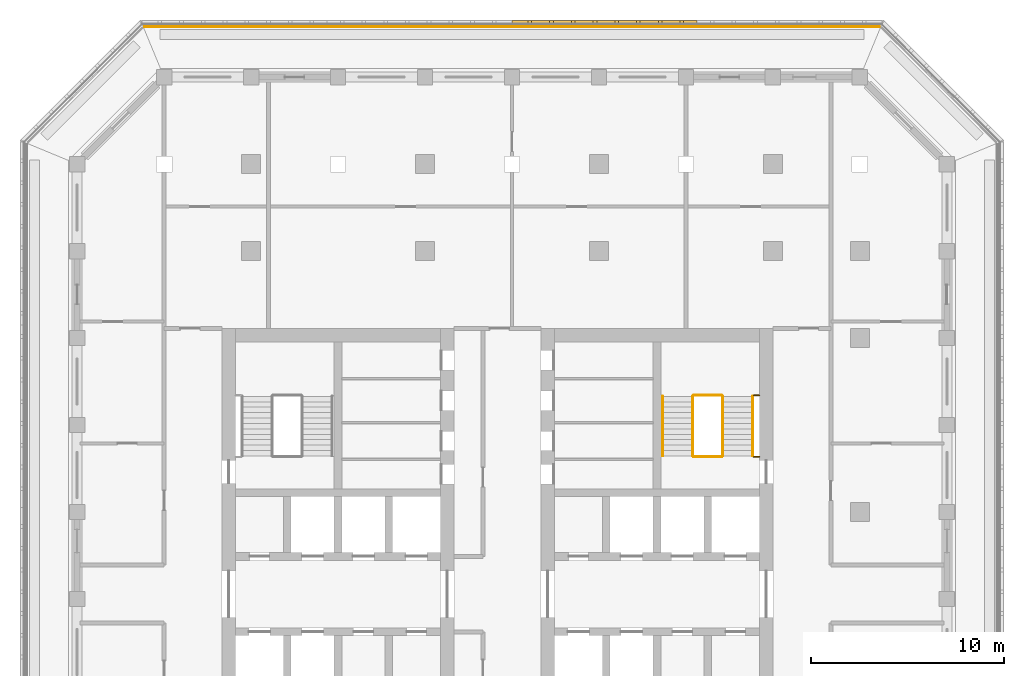
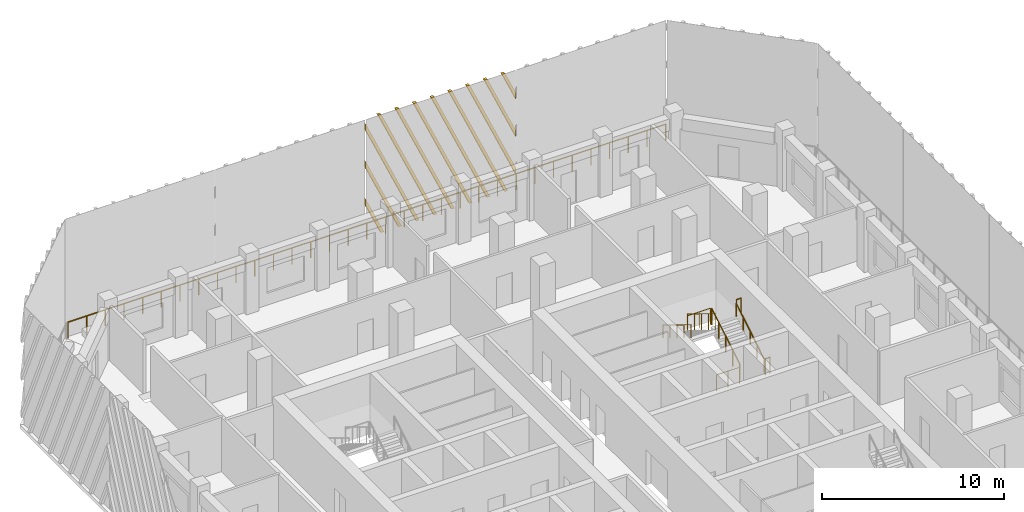
# One storey, part 15 of 17: 9 railings, 1 shading device.
"""IFC4 building model written with IfcOpenShell, lengths in metres."""

import ifcopenshell
import ifcopenshell.guid

model = None  # the IFC model being written
_history = None  # IfcOwnerHistory: only IFC2X3 demands one
_inside = {}  # id of a spatial element -> (the spatial element, [elements in it])
_under = {}  # id of a project, library or spatial element -> (it, [spatial elements below it])
_declared = {}  # id of a project -> (the project, [libraries it declares])
_typed = {}  # id of a type object -> (the type object, [elements of that type])
_made_of = {}  # id of a material, layer set ... -> (it, [elements and type objects made of it])


def new_model(schema):
    """Start an empty IFC model of exactly this schema.

    Asked for "IFC4X3", IfcOpenShell would pick the latest addendum, in which some entities
    have other attributes; the version numbers below select the first issue.
    IFC2X3 requires an IfcOwnerHistory on every rooted entity: one is made here for all.
    """
    global model, _history
    if schema == "IFC4X3":
        model = ifcopenshell.file(schema_version=(4, 3, 0, 0))
    else:
        model = ifcopenshell.file(schema=schema)
    _inside.clear()
    _under.clear()
    _declared.clear()
    _typed.clear()
    _made_of.clear()
    _history = None
    if model.schema == "IFC2X3":
        org = make("IfcOrganization", Name="unknown")
        user = make(
            "IfcPersonAndOrganization",
            ThePerson=make("IfcPerson", FamilyName="unknown"),
            TheOrganization=org,
        )
        app = make(
            "IfcApplication",
            ApplicationDeveloper=org,
            Version="unknown",
            ApplicationFullName="unknown",
            ApplicationIdentifier="unknown",
        )
        _history = make(
            "IfcOwnerHistory",
            OwningUser=user,
            OwningApplication=app,
            ChangeAction="ADDED",
            CreationDate=0,
        )
    return model


def make(cls, **values):
    """One entity of the class cls with the attributes given. An attribute that is None is left unset."""
    return model.create_entity(
        cls, **{name: value for name, value in values.items() if value is not None}
    )


def rooted(cls, **values):
    """An entity with a GlobalId (a new one), such as an element, a storey or a relation."""
    return make(cls, GlobalId=ifcopenshell.guid.new(), OwnerHistory=_history, **values)


def si_unit(unit_type, name, prefix=None):
    """IfcSIUnit, for example si_unit("LENGTHUNIT", "METRE", prefix="MILLI")."""
    return make("IfcSIUnit", UnitType=unit_type, Prefix=prefix, Name=name)


def assignment(units):
    """IfcUnitAssignment: the units of a project."""
    return None if units is None else make("IfcUnitAssignment", Units=units)


def point(xyz):
    """IfcCartesianPoint."""
    return None if xyz is None else make("IfcCartesianPoint", Coordinates=xyz)


def direction(xyz):
    """IfcDirection."""
    return None if xyz is None else make("IfcDirection", DirectionRatios=xyz)


def frame(location, z_axis=None, x_axis=None):
    """IfcAxis2Placement3D, a coordinate frame: its origin and axes. An axis left out is left unset."""
    return make(
        "IfcAxis2Placement3D",
        Location=point(location),
        Axis=direction(z_axis),
        RefDirection=direction(x_axis),
    )


def frame_2d(location, x_axis=None):
    """IfcAxis2Placement2D, a coordinate frame in the plane: its origin and x axis."""
    return make(
        "IfcAxis2Placement2D", Location=point(location), RefDirection=direction(x_axis)
    )


def origin():
    """The frame at (0, 0, 0) with its axes left unset."""
    return frame((0.0, 0.0, 0.0))


def origin_2d():
    """The frame at (0, 0) in the plane with its x axis left unset."""
    return frame_2d((0.0, 0.0))


def place(relative_to, where):
    """IfcLocalPlacement: puts the frame where relative to a parent placement (None: the world)."""
    return make(
        "IfcLocalPlacement", PlacementRelTo=relative_to, RelativePlacement=where
    )


def context(
    kind, dimensions, precision=None, world=None, true_north=None, identifier=None
):
    """IfcGeometricRepresentationContext, for example the 3D "Model" context."""
    return make(
        "IfcGeometricRepresentationContext",
        ContextIdentifier=identifier,
        ContextType=kind,
        CoordinateSpaceDimension=dimensions,
        Precision=precision,
        WorldCoordinateSystem=world,
        TrueNorth=true_north,
    )


def subcontext(parent, identifier, kind, view, scale=None):
    """IfcGeometricRepresentationSubContext, for example "Body" below "Model"."""
    return make(
        "IfcGeometricRepresentationSubContext",
        ContextIdentifier=identifier,
        ContextType=kind,
        ParentContext=parent,
        TargetScale=scale,
        TargetView=view,
    )


def project(units=None, contexts=None):
    """IfcProject with its units and contexts."""
    return rooted(
        "IfcProject",
        Name="project",
        RepresentationContexts=contexts,
        UnitsInContext=assignment(units),
    )


def spatial(cls, under=None, at=None, **own):
    """A site, building, storey or space (cls), placed at a placement, below another one or the project."""
    s = rooted(cls, ObjectPlacement=at, **own)
    if under is not None:
        _under.setdefault(under.id(), (under, []))[1].append(s)
    return s


def polyline(points):
    """IfcPolyline through the points."""
    return make("IfcPolyline", Points=[point(p) for p in points])


def profile(cls, at=None, kind="AREA", **sizes):
    """A parametric profile (cls). Its sizes go by their IFC names, for example OverallWidth=200.0."""
    return make(cls, ProfileType=kind, Position=at, **sizes)


def circle(**sizes):
    """IfcCircleProfileDef."""
    return profile("IfcCircleProfileDef", **sizes)


def outline(outer, holes=None, kind="AREA"):
    """IfcArbitraryClosedProfileDef: a profile drawn as a closed curve; with holes, ...WithVoids."""
    if holes is None:
        return make("IfcArbitraryClosedProfileDef", ProfileType=kind, OuterCurve=outer)
    return make(
        "IfcArbitraryProfileDefWithVoids",
        ProfileType=kind,
        OuterCurve=outer,
        InnerCurves=holes,
    )


def extrude(swept, where, along, depth):
    """IfcExtrudedAreaSolid: the profile swept, set in the frame where, extruded along a direction by depth."""
    return make(
        "IfcExtrudedAreaSolid",
        SweptArea=swept,
        Position=where,
        ExtrudedDirection=direction(along),
        Depth=depth,
    )


def shape(context_of_items, identifier, shape_type, items):
    """IfcShapeRepresentation: the items that make up one representation, for example the "Body"."""
    return make(
        "IfcShapeRepresentation",
        ContextOfItems=context_of_items,
        RepresentationIdentifier=identifier,
        RepresentationType=shape_type,
        Items=items,
    )


def source(mapping_origin, context_of_items, identifier, shape_type, items):
    """IfcRepresentationMap: a shape defined once, which mapped items show again and again."""
    return make(
        "IfcRepresentationMap",
        MappingOrigin=mapping_origin,
        MappedRepresentation=shape(context_of_items, identifier, shape_type, items),
    )


def transform(
    local_origin,
    x_axis=None,
    y_axis=None,
    z_axis=None,
    scale=None,
    scale2=None,
    scale3=None,
    uniform=True,
):
    """IfcCartesianTransformationOperator3D, or its non-uniform kind. x_axis, y_axis, z_axis: its Axis1, 2, 3."""
    if uniform:
        return make(
            "IfcCartesianTransformationOperator3D",
            Axis1=direction(x_axis),
            Axis2=direction(y_axis),
            LocalOrigin=point(local_origin),
            Scale=scale,
            Axis3=direction(z_axis),
        )
    return make(
        "IfcCartesianTransformationOperator3DnonUniform",
        Axis1=direction(x_axis),
        Axis2=direction(y_axis),
        LocalOrigin=point(local_origin),
        Scale=scale,
        Axis3=direction(z_axis),
        Scale2=scale2,
        Scale3=scale3,
    )


def mapped(mapping_source, mapping_target):
    """IfcMappedItem: shows the shape of a source again, moved by a transform."""
    return make(
        "IfcMappedItem", MappingSource=mapping_source, MappingTarget=mapping_target
    )


def material(Name=None, Category=None):
    """IfcMaterial."""
    return make("IfcMaterial", Name=Name, Category=Category)


def made_of(thing, what):
    """Note that an element or type object is made of a material, layer set ...; save() writes the relation."""
    if what is not None:
        _made_of.setdefault(what.id(), (what, []))[1].append(thing)
    return thing


def type_object(cls, material=None, **own):
    """A type object (cls), such as IfcWallType, which elements share."""
    return made_of(rooted(cls, **own), material)


def element(
    cls,
    number,
    at=None,
    inside=None,
    cuts=None,
    type_object=None,
    material=None,
    context=None,
    identifier="Body",
    shape_type=None,
    held_by="IfcProductDefinitionShape",
    body=None,
    shapes=None,
    **own,
):
    """One element of the class cls, such as IfcWall. Its Tag is "e" and its number.

    at: its placement. inside: the storey or other place that contains it. cuts: it is an
    opening in that element (IfcRelVoidsElement). A single representation is given by context,
    identifier, shape_type and body (its items); several are given by shapes. held_by: the class
    of the entity that holds the representations. save() writes the other relations.
    """
    e = rooted(cls, Tag="e%d" % number, ObjectPlacement=at, **own)
    if body is not None:
        shapes = [shape(context, identifier, shape_type, body)]
    if shapes is not None:
        e.Representation = make(held_by, Representations=shapes)
    if inside is not None:
        _inside.setdefault(inside.id(), (inside, []))[1].append(e)
    if cuts is not None:
        rooted(
            "IfcRelVoidsElement", RelatingBuildingElement=cuts, RelatedOpeningElement=e
        )
    if type_object is not None:
        _typed.setdefault(type_object.id(), (type_object, []))[1].append(e)
    return made_of(e, material)


def aggregate(whole, parts):
    """IfcRelAggregates: a whole, such as a stair, and the parts it consists of."""
    return rooted("IfcRelAggregates", RelatingObject=whole, RelatedObjects=parts)


def save(model, path):
    """Write the relations noted so far, then the file.

    IfcRelAggregates (storeys below a building ...), IfcRelContainedInSpatialStructure (elements
    in a storey), IfcRelDefinesByType, IfcRelAssociatesMaterial and IfcRelDeclares: one each for
    every whole, place, type object, material and project.
    """
    for whole, parts in _under.values():
        aggregate(whole, parts)
    for where, things in _inside.values():
        rooted(
            "IfcRelContainedInSpatialStructure",
            RelatedElements=things,
            RelatingStructure=where,
        )
    for kind, things in _typed.values():
        rooted("IfcRelDefinesByType", RelatedObjects=things, RelatingType=kind)
    for what, things in _made_of.values():
        rooted("IfcRelAssociatesMaterial", RelatedObjects=things, RelatingMaterial=what)
    for by, libraries in _declared.values():
        rooted("IfcRelDeclares", RelatingContext=by, RelatedDefinitions=libraries)
    model.write(path)


model = new_model("IFC4")

# Units and contexts
model_context = context("Model", 3, precision=1e-05, world=origin(), true_north=direction((0.0, 1.0)))
body_context = subcontext(model_context, "Body", "Model", "MODEL_VIEW")
ifc_project = project(units=[si_unit("LENGTHUNIT", "METRE"), si_unit("AREAUNIT", "SQUARE_METRE"), si_unit("VOLUMEUNIT", "CUBIC_METRE"), si_unit("PLANEANGLEUNIT", "RADIAN"), si_unit("MASSUNIT", "GRAM", prefix="KILO")], contexts=[model_context])

# Site, building, storey
site_placement = place(None, origin())
site = spatial("IfcSite", under=ifc_project, at=site_placement, CompositionType="ELEMENT")
building_placement = place(site_placement, origin())
building = spatial("IfcBuilding", under=site, at=building_placement, Name="Corbel Stack Research Tower", CompositionType="ELEMENT")
storey_placement = place(building_placement, frame((0.0, 0.0, 231.60009765625)))
storey = spatial("IfcBuildingStorey", under=building, at=storey_placement, Name="L52", CompositionType="ELEMENT", Elevation=231.60009765625)

# Railings
ifc_material_1 = material(Name="Steel S355", Category="steel")
railing_type_1 = type_object("IfcRailingType", Name="Stair guard 1100", PredefinedType="GUARDRAIL", material=ifc_material_1)
railing_1_placement = place(storey_placement, frame((15.39990234375, 11.89990234375, 0.170654296875)))
element("IfcRailing", 1, at=railing_1_placement, inside=storey, type_object=railing_type_1, Name="L52 ST-E2 stair guard 1", PredefinedType="GUARDRAIL", context=body_context, shape_type="SweptSolid", body=[
    extrude(circle(Radius=0.02392578125, at=origin_2d()), frame((0.0, 0.0, 1.076171875), z_axis=(0.0, 0.853666305674, 0.52082035152), x_axis=(-1.0, 0.0, 0.0)), (0.0, 0.0, 1.0), 3.608154296875),
    extrude(circle(Radius=0.02099609375, at=origin_2d()), origin(), (0.0, 0.0, 1.0), 1.052001953125),
    extrude(circle(Radius=0.02099609375, at=origin_2d()), frame((0.0, 0.77001953125, 0.4697265625)), (0.0, 0.0, 1.0), 1.052001953125),
    extrude(circle(Radius=0.02099609375, at=origin_2d()), frame((0.0, 1.5400390625, 0.939453125)), (0.0, 0.0, 1.0), 1.052001953125),
    extrude(circle(Radius=0.02099609375, at=origin_2d()), frame((0.0, 2.31005859375, 1.409423828125)), (0.0, 0.0, 1.0), 1.052001953125),
    extrude(circle(Radius=0.02099609375, at=origin_2d()), frame((0.0, 3.080078125, 1.879150390625)), (0.0, 0.0, 1.0), 1.052001953125),
])
railing_2_placement = place(storey_placement, frame((15.35009765625, 15.030029296875, 2.0498046875)))
element("IfcRailing", 2, at=railing_2_placement, inside=storey, type_object=railing_type_1, Name="L52 ST-E2 stair guard 2", PredefinedType="GUARDRAIL", context=body_context, shape_type="SweptSolid", body=[
    extrude(circle(Radius=0.02392578125, at=origin_2d()), frame((0.0, 0.0, 1.076171875), z_axis=(-1.0, 0.0, 0.0), x_axis=(0.0, -1.0, 0.0)), (0.0, 0.0, 1.0), 1.4501953125),
    extrude(circle(Radius=0.02099609375, at=origin_2d()), origin(), (0.0, 0.0, 1.0), 1.052001953125),
    extrude(circle(Radius=0.02099609375, at=origin_2d()), frame((-0.72509765625, 0.0, 0.0)), (0.0, 0.0, 1.0), 1.052001953125),
    extrude(circle(Radius=0.02099609375, at=origin_2d()), frame((-1.4501953125, 0.0, 0.0)), (0.0, 0.0, 1.0), 1.052001953125),
])
railing_3_placement = place(storey_placement, frame((17.300048828125, 15.030029296875, 2.0498046875)))
element("IfcRailing", 3, at=railing_3_placement, inside=storey, type_object=railing_type_1, Name="L52 ST-E2 stair guard 3", PredefinedType="GUARDRAIL", context=body_context, shape_type="SweptSolid", body=[
    extrude(circle(Radius=0.02392578125, at=origin_2d()), frame((0.0, 0.0, 1.076171875), z_axis=(-1.0, 0.0, 0.0), x_axis=(0.0, -1.0, 0.0)), (0.0, 0.0, 1.0), 0.300048828125),
    extrude(circle(Radius=0.02099609375, at=origin_2d()), origin(), (0.0, 0.0, 1.0), 1.052001953125),
    extrude(circle(Radius=0.02099609375, at=origin_2d()), frame((-0.300048828125, 0.0, 0.0)), (0.0, 0.0, 1.0), 1.052001953125),
])
railing_4_placement = place(storey_placement, frame((13.85009765625, 14.97998046875, 2.220703125)))
element("IfcRailing", 4, at=railing_4_placement, inside=storey, type_object=railing_type_1, Name="L52 ST-E2 stair guard 4", PredefinedType="GUARDRAIL", context=body_context, shape_type="SweptSolid", body=[
    extrude(circle(Radius=0.02392578125, at=origin_2d()), frame((0.0, 0.0, 1.076171875), z_axis=(0.0, -0.853666305674, 0.52082035152), x_axis=(1.0, 0.0, 0.0)), (0.0, 0.0, 1.0), 3.608154296875),
    extrude(circle(Radius=0.02099609375, at=origin_2d()), origin(), (0.0, 0.0, 1.0), 1.052001953125),
    extrude(circle(Radius=0.02099609375, at=origin_2d()), frame((0.0, -0.77001953125, 0.4697265625)), (0.0, 0.0, 1.0), 1.052001953125),
    extrude(circle(Radius=0.02099609375, at=origin_2d()), frame((0.0, -1.5400390625, 0.939453125)), (0.0, 0.0, 1.0), 1.052001953125),
    extrude(circle(Radius=0.02099609375, at=origin_2d()), frame((0.0, -2.31005859375, 1.409423828125)), (0.0, 0.0, 1.0), 1.052001953125),
    extrude(circle(Radius=0.02099609375, at=origin_2d()), frame((0.0, -3.080078125, 1.879150390625)), (0.0, 0.0, 1.0), 1.052001953125),
])
railing_5_placement = place(storey_placement, frame((15.35009765625, 11.85009765625, 0.0)))
element("IfcRailing", 5, at=railing_5_placement, inside=storey, type_object=railing_type_1, Name="L52 ST-E2 stair guard 5", PredefinedType="GUARDRAIL", context=body_context, shape_type="SweptSolid", body=[
    extrude(circle(Radius=0.02392578125, at=origin_2d()), frame((0.0, 0.0, 1.076171875), z_axis=(-1.0, 0.0, 0.0), x_axis=(0.0, -1.0, 0.0)), (0.0, 0.0, 1.0), 1.4501953125),
    extrude(circle(Radius=0.02099609375, at=origin_2d()), origin(), (0.0, 0.0, 1.0), 1.052001953125),
    extrude(circle(Radius=0.02099609375, at=origin_2d()), frame((-0.72509765625, 0.0, 0.0)), (0.0, 0.0, 1.0), 1.052001953125),
    extrude(circle(Radius=0.02099609375, at=origin_2d()), frame((-1.4501953125, 0.0, 0.0)), (0.0, 0.0, 1.0), 1.052001953125),
])
railing_6_placement = place(storey_placement, frame((17.300048828125, 11.85009765625, 0.0)))
element("IfcRailing", 6, at=railing_6_placement, inside=storey, type_object=railing_type_1, Name="L52 ST-E2 stair guard 6", PredefinedType="GUARDRAIL", context=body_context, shape_type="SweptSolid", body=[
    extrude(circle(Radius=0.02392578125, at=origin_2d()), frame((0.0, 0.0, 1.076171875), z_axis=(-1.0, 0.0, 0.0), x_axis=(0.0, -1.0, 0.0)), (0.0, 0.0, 1.0), 0.300048828125),
    extrude(circle(Radius=0.02099609375, at=origin_2d()), origin(), (0.0, 0.0, 1.0), 1.052001953125),
    extrude(circle(Radius=0.02099609375, at=origin_2d()), frame((-0.300048828125, 0.0, 0.0)), (0.0, 0.0, 1.0), 1.052001953125),
])
ifc_material_2 = material(Name="Steel S355", Category="steel")
railing_type_2 = type_object("IfcRailingType", Name="Stair handrail 900", PredefinedType="HANDRAIL", material=ifc_material_2)
railing_7_placement = place(storey_placement, frame((16.949951171875, 11.89990234375, 0.170654296875)))
element("IfcRailing", 7, at=railing_7_placement, inside=storey, type_object=railing_type_2, Name="L52 ST-E2 stair handrail 1", PredefinedType="HANDRAIL", context=body_context, shape_type="SweptSolid", body=[
    extrude(circle(Radius=0.02392578125, at=origin_2d()), frame((0.0, 0.0, 0.8759765625), z_axis=(0.0, 0.853666305674, 0.52082035152), x_axis=(-1.0, 0.0, 0.0)), (0.0, 0.0, 1.0), 3.608154296875),
    extrude(circle(Radius=0.02099609375, at=origin_2d()), origin(), (0.0, 0.0, 1.0), 0.851806640625),
    extrude(circle(Radius=0.02099609375, at=origin_2d()), frame((0.0, 0.77001953125, 0.4697265625)), (0.0, 0.0, 1.0), 0.851806640625),
    extrude(circle(Radius=0.02099609375, at=origin_2d()), frame((0.0, 1.5400390625, 0.939453125)), (0.0, 0.0, 1.0), 0.851806640625),
    extrude(circle(Radius=0.02099609375, at=origin_2d()), frame((0.0, 2.31005859375, 1.409423828125)), (0.0, 0.0, 1.0), 0.851806640625),
    extrude(circle(Radius=0.02099609375, at=origin_2d()), frame((0.0, 3.080078125, 1.879150390625)), (0.0, 0.0, 1.0), 0.851806640625),
])
railing_8_placement = place(storey_placement, frame((12.300048828125, 14.97998046875, 2.220703125)))
element("IfcRailing", 8, at=railing_8_placement, inside=storey, type_object=railing_type_2, Name="L52 ST-E2 stair handrail 2", PredefinedType="HANDRAIL", context=body_context, shape_type="SweptSolid", body=[
    extrude(circle(Radius=0.02392578125, at=origin_2d()), frame((0.0, 0.0, 0.8759765625), z_axis=(0.0, -0.853666305674, 0.52082035152), x_axis=(1.0, 0.0, 0.0)), (0.0, 0.0, 1.0), 3.608154296875),
    extrude(circle(Radius=0.02099609375, at=origin_2d()), origin(), (0.0, 0.0, 1.0), 0.851806640625),
    extrude(circle(Radius=0.02099609375, at=origin_2d()), frame((0.0, -0.77001953125, 0.4697265625)), (0.0, 0.0, 1.0), 0.851806640625),
    extrude(circle(Radius=0.02099609375, at=origin_2d()), frame((0.0, -1.5400390625, 0.939453125)), (0.0, 0.0, 1.0), 0.851806640625),
    extrude(circle(Radius=0.02099609375, at=origin_2d()), frame((0.0, -2.31005859375, 1.409423828125)), (0.0, 0.0, 1.0), 0.851806640625),
    extrude(circle(Radius=0.02099609375, at=origin_2d()), frame((0.0, -3.080078125, 1.879150390625)), (0.0, 0.0, 1.0), 0.851806640625),
])
ifc_material_3 = material(Name="Powder-coated steel guard", Category="steel")
railing_type_3 = type_object("IfcRailingType", Name="Steel and glass guard 1100", PredefinedType="GUARDRAIL", material=ifc_material_3)
railing_9_placement = place(storey_placement, frame((23.50537109375, 34.10009765625, 0.0)))
element("IfcRailing", 9, at=railing_9_placement, inside=storey, type_object=railing_type_3, Name="Loggia guard L52 N", PredefinedType="GUARDRAIL", context=body_context, shape_type="SweptSolid", body=[
    extrude(circle(Radius=0.02392578125, at=origin_2d()), frame((0.0, 0.0, 1.076171875), z_axis=(-1.0, 0.0, 0.0), x_axis=(0.0, -1.0, 0.0)), (0.0, 0.0, 1.0), 38.0107421875),
    extrude(circle(Radius=0.02099609375, at=origin_2d()), origin(), (0.0, 0.0, 1.0), 1.052001953125),
    extrude(circle(Radius=0.02099609375, at=origin_2d()), frame((-1.187744140625, 0.0, 0.0)), (0.0, 0.0, 1.0), 1.052001953125),
    extrude(circle(Radius=0.02099609375, at=origin_2d()), frame((-2.375732421875, 0.0, 0.0)), (0.0, 0.0, 1.0), 1.052001953125),
    extrude(circle(Radius=0.02099609375, at=origin_2d()), frame((-3.5634765625, 0.0, 0.0)), (0.0, 0.0, 1.0), 1.052001953125),
    extrude(circle(Radius=0.02099609375, at=origin_2d()), frame((-4.75146484375, 0.0, 0.0)), (0.0, 0.0, 1.0), 1.052001953125),
    extrude(circle(Radius=0.02099609375, at=origin_2d()), frame((-5.939208984375, 0.0, 0.0)), (0.0, 0.0, 1.0), 1.052001953125),
    extrude(circle(Radius=0.02099609375, at=origin_2d()), frame((-7.126953125, 0.0, 0.0)), (0.0, 0.0, 1.0), 1.052001953125),
    extrude(circle(Radius=0.02099609375, at=origin_2d()), frame((-8.31494140625, 0.0, 0.0)), (0.0, 0.0, 1.0), 1.052001953125),
    extrude(circle(Radius=0.02099609375, at=origin_2d()), frame((-9.502685546875, 0.0, 0.0)), (0.0, 0.0, 1.0), 1.052001953125),
    extrude(circle(Radius=0.02099609375, at=origin_2d()), frame((-10.6904296875, 0.0, 0.0)), (0.0, 0.0, 1.0), 1.052001953125),
    extrude(circle(Radius=0.02099609375, at=origin_2d()), frame((-11.87841796875, 0.0, 0.0)), (0.0, 0.0, 1.0), 1.052001953125),
    extrude(circle(Radius=0.02099609375, at=origin_2d()), frame((-13.066162109375, 0.0, 0.0)), (0.0, 0.0, 1.0), 1.052001953125),
    extrude(circle(Radius=0.02099609375, at=origin_2d()), frame((-14.25390625, 0.0, 0.0)), (0.0, 0.0, 1.0), 1.052001953125),
    extrude(circle(Radius=0.02099609375, at=origin_2d()), frame((-15.44189453125, 0.0, 0.0)), (0.0, 0.0, 1.0), 1.052001953125),
    extrude(circle(Radius=0.02099609375, at=origin_2d()), frame((-16.629638671875, 0.0, 0.0)), (0.0, 0.0, 1.0), 1.052001953125),
    extrude(circle(Radius=0.02099609375, at=origin_2d()), frame((-17.817626953125, 0.0, 0.0)), (0.0, 0.0, 1.0), 1.052001953125),
    extrude(circle(Radius=0.02099609375, at=origin_2d()), frame((-19.00537109375, 0.0, 0.0)), (0.0, 0.0, 1.0), 1.052001953125),
    extrude(circle(Radius=0.02099609375, at=origin_2d()), frame((-20.193115234375, 0.0, 0.0)), (0.0, 0.0, 1.0), 1.052001953125),
    extrude(circle(Radius=0.02099609375, at=origin_2d()), frame((-21.381103515625, 0.0, 0.0)), (0.0, 0.0, 1.0), 1.052001953125),
    extrude(circle(Radius=0.02099609375, at=origin_2d()), frame((-22.56884765625, 0.0, 0.0)), (0.0, 0.0, 1.0), 1.052001953125),
    extrude(circle(Radius=0.02099609375, at=origin_2d()), frame((-23.7568359375, 0.0, 0.0)), (0.0, 0.0, 1.0), 1.052001953125),
    extrude(circle(Radius=0.02099609375, at=origin_2d()), frame((-24.944580078125, 0.0, 0.0)), (0.0, 0.0, 1.0), 1.052001953125),
    extrude(circle(Radius=0.02099609375, at=origin_2d()), frame((-26.13232421875, 0.0, 0.0)), (0.0, 0.0, 1.0), 1.052001953125),
    extrude(circle(Radius=0.02099609375, at=origin_2d()), frame((-27.3203125, 0.0, 0.0)), (0.0, 0.0, 1.0), 1.052001953125),
    extrude(circle(Radius=0.02099609375, at=origin_2d()), frame((-28.508056640625, 0.0, 0.0)), (0.0, 0.0, 1.0), 1.052001953125),
    extrude(circle(Radius=0.02099609375, at=origin_2d()), frame((-29.69580078125, 0.0, 0.0)), (0.0, 0.0, 1.0), 1.052001953125),
    extrude(circle(Radius=0.02099609375, at=origin_2d()), frame((-30.8837890625, 0.0, 0.0)), (0.0, 0.0, 1.0), 1.052001953125),
    extrude(circle(Radius=0.02099609375, at=origin_2d()), frame((-32.071533203125, 0.0, 0.0)), (0.0, 0.0, 1.0), 1.052001953125),
    extrude(circle(Radius=0.02099609375, at=origin_2d()), frame((-33.25927734375, 0.0, 0.0)), (0.0, 0.0, 1.0), 1.052001953125),
    extrude(circle(Radius=0.02099609375, at=origin_2d()), frame((-34.447265625, 0.0, 0.0)), (0.0, 0.0, 1.0), 1.052001953125),
    extrude(circle(Radius=0.02099609375, at=origin_2d()), frame((-35.635009765625, 0.0, 0.0)), (0.0, 0.0, 1.0), 1.052001953125),
    extrude(circle(Radius=0.02099609375, at=origin_2d()), frame((-36.822998046875, 0.0, 0.0)), (0.0, 0.0, 1.0), 1.052001953125),
    extrude(circle(Radius=0.02099609375, at=origin_2d()), frame((-38.0107421875, 0.0, 0.0)), (0.0, 0.0, 1.0), 1.052001953125),
])

# Shading device
ifc_material_4 = material(Name="Precast terracotta", Category="masonry")
shading_device_type = type_object("IfcShadingDeviceType", Name="Terracotta screen panel", PredefinedType="USERDEFINED", material=ifc_material_4)
shared_shape = source(origin(), body_context, "Body", "SweptSolid", [
    extrude(outline(polyline([(0.87548828125, 7.949951171875), (0.685546875, 7.949951171875), (0.0, 6.410400390625), (0.0, 5.983642578125), (0.87548828125, 7.949951171875)])), frame((0.0, 0.0, 0.0), z_axis=(0.0, -1.0, 0.0), x_axis=(1.0, 0.0, 0.0)), (0.0, 0.0, 1.0), 0.179931640625),
    extrude(outline(polyline([(2.00048828125, 7.949951171875), (1.810546875, 7.949951171875), (0.0, 3.883544921875), (0.0, 3.456787109375), (2.00048828125, 7.949951171875)])), frame((0.0, 0.0, 0.0), z_axis=(0.0, -1.0, 0.0), x_axis=(1.0, 0.0, 0.0)), (0.0, 0.0, 1.0), 0.179931640625),
    extrude(outline(polyline([(3.12548828125, 7.949951171875), (2.935546875, 7.949951171875), (0.0, 1.356689453125), (0.0, 0.93017578125), (3.12548828125, 7.949951171875)])), frame((0.0, 0.0, 0.0), z_axis=(0.0, -1.0, 0.0), x_axis=(1.0, 0.0, 0.0)), (0.0, 0.0, 1.0), 0.179931640625),
    extrude(outline(polyline([(0.7109375, 0.0), (4.25048828125, 7.949951171875), (4.060546875, 7.949951171875), (0.52099609375, 0.0), (0.7109375, 0.0)])), frame((0.0, 0.0, 0.0), z_axis=(0.0, -1.0, 0.0), x_axis=(1.0, 0.0, 0.0)), (0.0, 0.0, 1.0), 0.179931640625),
    extrude(outline(polyline([(1.8359375, 0.0), (5.37548828125, 7.949951171875), (5.185546875, 7.949951171875), (1.64599609375, 0.0), (1.8359375, 0.0)])), frame((0.0, 0.0, 0.0), z_axis=(0.0, -1.0, 0.0), x_axis=(1.0, 0.0, 0.0)), (0.0, 0.0, 1.0), 0.179931640625),
    extrude(outline(polyline([(2.9609375, 0.0), (6.50048828125, 7.949951171875), (6.310546875, 7.949951171875), (2.77099609375, 0.0), (2.9609375, 0.0)])), frame((0.0, 0.0, 0.0), z_axis=(0.0, -1.0, 0.0), x_axis=(1.0, 0.0, 0.0)), (0.0, 0.0, 1.0), 0.179931640625),
    extrude(outline(polyline([(4.0859375, 0.0), (7.62548828125, 7.949951171875), (7.435546875, 7.949951171875), (3.89599609375, 0.0), (4.0859375, 0.0)])), frame((0.0, 0.0, 0.0), z_axis=(0.0, -1.0, 0.0), x_axis=(1.0, 0.0, 0.0)), (0.0, 0.0, 1.0), 0.179931640625),
    extrude(outline(polyline([(5.2109375, 0.0), (8.75048828125, 7.949951171875), (8.560546875, 7.949951171875), (5.02099609375, 0.0), (5.2109375, 0.0)])), frame((0.0, 0.0, 0.0), z_axis=(0.0, -1.0, 0.0), x_axis=(1.0, 0.0, 0.0)), (0.0, 0.0, 1.0), 0.179931640625),
    extrude(outline(polyline([(6.3359375, 0.0), (9.569580078125, 7.262939453125), (9.569580078125, 7.689697265625), (6.14599609375, 0.0), (6.3359375, 0.0)])), frame((0.0, 0.0, 0.0), z_axis=(0.0, -1.0, 0.0), x_axis=(1.0, 0.0, 0.0)), (0.0, 0.0, 1.0), 0.179931640625),
    extrude(outline(polyline([(7.4609375, 0.0), (9.569580078125, 4.736083984375), (9.569580078125, 5.162841796875), (7.27099609375, 0.0), (7.4609375, 0.0)])), frame((0.0, 0.0, 0.0), z_axis=(0.0, -1.0, 0.0), x_axis=(1.0, 0.0, 0.0)), (0.0, 0.0, 1.0), 0.179931640625),
    extrude(outline(polyline([(8.5859375, 0.0), (9.569580078125, 2.209228515625), (9.569580078125, 2.635986328125), (8.39599609375, 0.0), (8.5859375, 0.0)])), frame((0.0, 0.0, 0.0), z_axis=(0.0, -1.0, 0.0), x_axis=(1.0, 0.0, 0.0)), (0.0, 0.0, 1.0), 0.179931640625),
])
shading_device_placement = place(storey_placement, frame((14.069580078125, 34.25, 0.0), z_axis=(0.0, 0.0, 1.0), x_axis=(-1.0, 0.0, 0.0)))
element("IfcShadingDevice", 10, at=shading_device_placement, inside=storey, type_object=shading_device_type, Name="Terracotta screen L52 N2", ObjectType="SCREEN", PredefinedType="USERDEFINED", context=body_context, shape_type="MappedRepresentation", body=[
    mapped(shared_shape, transform((0.0, 0.0, 0.0))),
])

save(model, "model.ifc")
